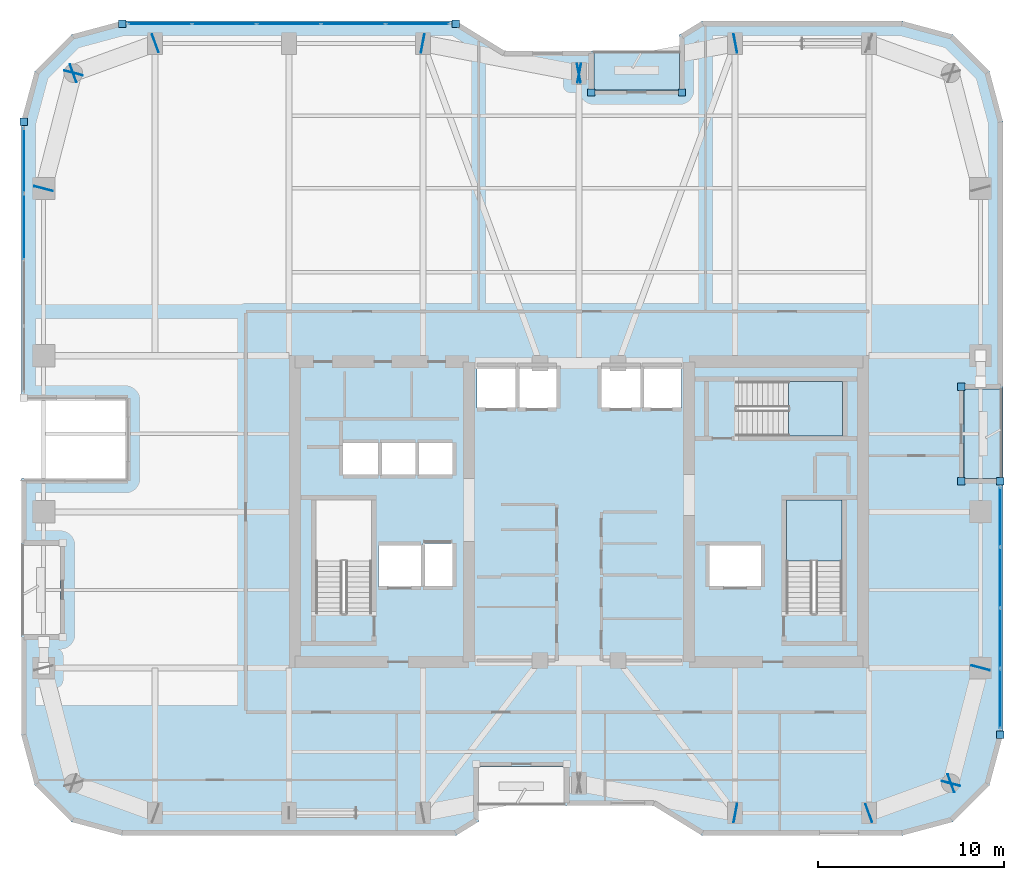
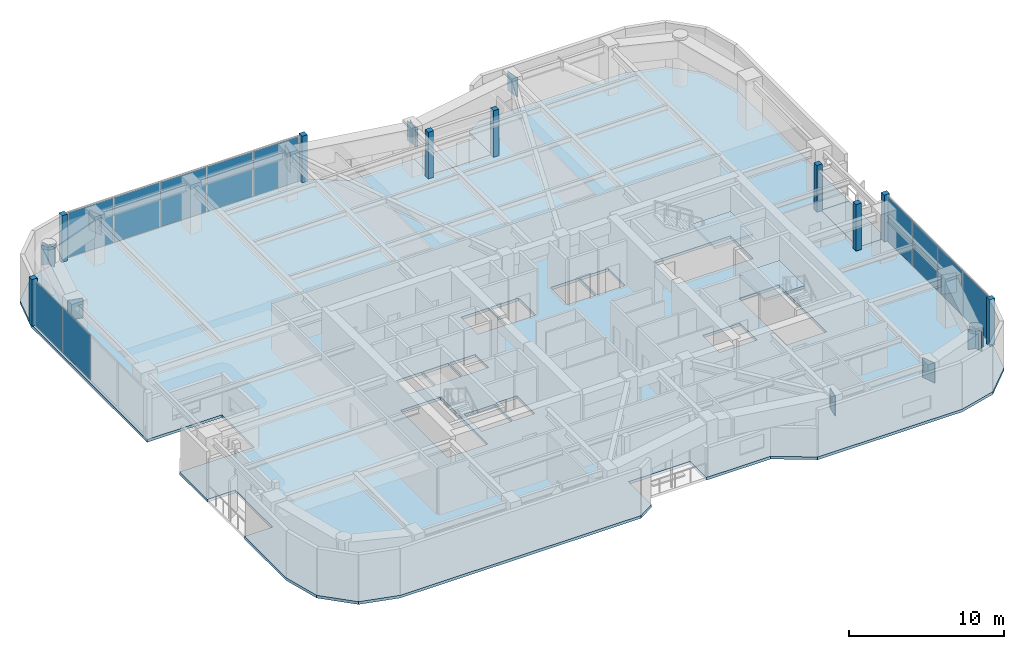
# One storey, part 18 of 26: 33 plates, 5 slabs, 5 elements without a shape of their own.
"""IFC4 building model written with IfcOpenShell, lengths in metres."""

from ifc_helpers import new_model, si_unit, direction, frame, origin, origin_2d, place, context, subcontext, project, spatial, polyline, rectangle, outline, extrude, material, layer, layer_set, type_object, element, aggregate, save


model = new_model("IFC4")

# Units and contexts
model_context = context("Model", 3, precision=1e-05, world=origin(), true_north=direction((0.0, 1.0)))
body_context = subcontext(model_context, "Body", "Model", "MODEL_VIEW")
ifc_project = project(units=[si_unit("LENGTHUNIT", "METRE"), si_unit("AREAUNIT", "SQUARE_METRE"), si_unit("VOLUMEUNIT", "CUBIC_METRE"), si_unit("PLANEANGLEUNIT", "RADIAN"), si_unit("MASSUNIT", "GRAM", prefix="KILO")], contexts=[model_context])

# Site, building, storey
site_placement = place(None, origin())
site = spatial("IfcSite", under=ifc_project, at=site_placement, CompositionType="ELEMENT")
building_placement = place(site_placement, origin())
building = spatial("IfcBuilding", under=site, at=building_placement, Name="Kiyonajd Concourse Tower", CompositionType="ELEMENT")
storey_placement = place(building_placement, frame((0.0, 0.0, 186.300048828125)))
storey = spatial("IfcBuildingStorey", under=building, at=storey_placement, Name="L47", CompositionType="ELEMENT", Elevation=186.300048828125)

# Plates
ifc_material_1 = material(Name="Steel ASTM A572 Grade 50", Category="steel")
ifc_layer_1 = layer(ifc_material_1, 0.031982421875)
ifc_layer_set_1 = layer_set([ifc_layer_1], Name="Steel ASTM A572 Grade 50")
plate_type_1 = type_object("IfcPlateType", Name="PL-CAP-540", PredefinedType="USERDEFINED", material=ifc_layer_set_1)
for number, where, z_axis, x_axis, name in (
    (1, (56.410888671875, 19.7978515625, 2.2099609375), (0.0, 0.0, 1.0), (0.982352599301, -0.187038420242, 0.0), "L47 Welded Box Girder End Cap"),
    (2, (63.589599609375, 19.796142578125, 2.2099609375), (0.0, 0.0, 1.0), (-0.939811951086, -0.341692107891, 0.0), "L47 Welded Box Girder End Cap"),
    (3, (68.01025390625, 21.40380859375, 2.2099609375), (0.0, 0.0, 1.0), (0.939811951086, 0.341692107891, 0.0), "L47 Welded Box Girder End Cap"),
    (4, (67.997314453125, 21.389404296875, 2.2099609375), (0.0, 0.0, 1.0), (-0.249873048837, -0.968278606324, 0.0), "L47 Welded Box Girder End Cap"),
    (5, (69.602783203125, 27.610595703125, 2.2099609375), (0.0, 0.0, 1.0), (0.249873048837, 0.968278606324, 0.0), "L47 Welded Box Girder End Cap"),
    (6, (56.410888671875, 61.2021484375, 2.2099609375), (0.0, 0.0, 1.0), (0.982352599301, 0.187038420242, 0.0), "L47 Welded Box Girder End Cap"),
    (7, (47.9892578125, 59.597900390625, 2.2099609375), (0.0, 0.0, 1.0), (-0.982352599301, -0.187038420242, 0.0), "L47 Welded Box Girder End Cap"),
    (8, (48.0107421875, 59.597900390625, 2.2099609375), (0.0, 0.0, 1.0), (0.982352599301, -0.187038420242, 0.0), "L47 Welded Box Girder End Cap"),
    (9, (39.589111328125, 61.2021484375, 2.2099609375), (0.0, 0.0, 1.0), (-0.982352599301, 0.187038420242, 0.0), "L47 Welded Box Girder End Cap"),
    (10, (25.210205078125, 61.203857421875, 2.2099609375), (0.0, 0.0, 1.0), (0.939811951086, 0.341692107891, 0.0), "L47 Welded Box Girder End Cap"),
    (11, (20.789794921875, 59.59619140625, 2.2099609375), (0.0, 0.0, 1.0), (-0.939811951086, -0.341692107891, 0.0), "L47 Welded Box Girder End Cap"),
    (12, (20.802734375, 59.610595703125, 2.2099609375), (0.0, 0.0, 1.0), (0.249873048837, 0.968278606324, 0.0), "L47 Welded Box Girder End Cap"),
    (13, (19.197265625, 53.389404296875, 2.2099609375), (0.0, 0.0, 1.0), (-0.249873048837, -0.968278606324, 0.0), "L47 Welded Box Girder End Cap"),
):
    element("IfcPlate", number, at=place(storey_placement, frame(where, z_axis=z_axis, x_axis=x_axis)), inside=storey, type_object=plate_type_1, Name=name, ObjectType="CAP PLATE", PredefinedType="USERDEFINED", context=body_context, shape_type="SweptSolid", body=[
        extrude(rectangle(XDim=0.035888671875, YDim=1.02001953125, at=origin_2d()), origin(), (0.0, 0.0, 1.0), 1.5400390625),
    ])

# Curtain wall, plates
ifc_material_2 = material(Name="Thermally Broken Anodised Aluminium", Category="aluminium")
ifc_layer_2 = layer(ifc_material_2, 0.179931640625)
ifc_layer_set_2 = layer_set([ifc_layer_2], Name="Thermally Broken Anodised Aluminium")
curtain_wall_type = type_object("IfcCurtainWallType", Name="CW-SYS-03", PredefinedType="NOTDEFINED", material=ifc_layer_set_2)
curtain_wall_1_placement = place(storey_placement, origin())
curtain_wall_1 = element("IfcCurtainWall", 14, at=curtain_wall_1_placement, inside=storey, type_object=curtain_wall_type, Name="L47 Unitised Curtain Wall CW3", PredefinedType="NOTDEFINED")
ifc_material_3 = material(Name="Double Low-E Insulated Glass", Category="glass")
ifc_layer_3 = layer(ifc_material_3, 0.033935546875)
ifc_layer_set_3 = layer_set([ifc_layer_3], Name="Double Low-E Insulated Glass")
plate_type_2 = type_object("IfcPlateType", Name="PL-CW-VIS34", PredefinedType="CURTAIN_PANEL", material=ifc_layer_set_3)
plate_1_placement = place(storey_placement, frame((18.139892578125, 51.343505859375, 0.06494140625), z_axis=(0.0, 0.0, 1.0), x_axis=(0.0, 1.0, 0.0)))
plate_1 = element("IfcPlate", 15, at=plate_1_placement, type_object=plate_type_2, Name="CW3 panel 3.1", PredefinedType="CURTAIN_PANEL", context=body_context, shape_type="SweptSolid", body=[
    extrude(rectangle(XDim=3.50048828125, YDim=0.033935546875, at=origin_2d()), origin(), (0.0, 0.0, 1.0), 3.550048828125),
])
plate_2_placement = place(storey_placement, frame((18.139892578125, 54.892578125, 0.06494140625), z_axis=(0.0, 0.0, 1.0), x_axis=(0.0, 1.0, 0.0)))
plate_2 = element("IfcPlate", 16, at=plate_2_placement, type_object=plate_type_2, Name="CW3 panel 4.1", PredefinedType="CURTAIN_PANEL", context=body_context, shape_type="SweptSolid", body=[
    extrude(rectangle(XDim=3.468017578125, YDim=0.033935546875, at=origin_2d()), origin(), (0.0, 0.0, 1.0), 3.550048828125),
])
aggregate(curtain_wall_1, [plate_1, plate_2])

curtain_wall_2_placement = place(storey_placement, origin())
curtain_wall_2 = element("IfcCurtainWall", 17, at=curtain_wall_2_placement, inside=storey, type_object=curtain_wall_type, Name="L47 Unitised Curtain Wall CW3", PredefinedType="NOTDEFINED")
plate_3_placement = place(storey_placement, frame((25.4609375, 62.260009765625, 0.06494140625), z_axis=(0.0, 0.0, 1.0), x_axis=(1.0, 0.0, 0.0)))
plate_3 = element("IfcPlate", 18, at=plate_3_placement, type_object=plate_type_2, Name="CW3 panel 1.1", PredefinedType="CURTAIN_PANEL", context=body_context, shape_type="SweptSolid", body=[
    extrude(rectangle(XDim=3.375, YDim=0.033935546875, at=origin_2d()), origin(), (0.0, 0.0, 1.0), 3.550048828125),
])
plate_4_placement = place(storey_placement, frame((28.9169921875, 62.260009765625, 0.06494140625), z_axis=(0.0, 0.0, 1.0), x_axis=(1.0, 0.0, 0.0)))
plate_4 = element("IfcPlate", 19, at=plate_4_placement, type_object=plate_type_2, Name="CW3 panel 2.1", PredefinedType="CURTAIN_PANEL", context=body_context, shape_type="SweptSolid", body=[
    extrude(rectangle(XDim=3.407470703125, YDim=0.033935546875, at=origin_2d()), origin(), (0.0, 0.0, 1.0), 3.550048828125),
])
plate_5_placement = place(storey_placement, frame((32.389404296875, 62.260009765625, 0.06494140625), z_axis=(0.0, 0.0, 1.0), x_axis=(1.0, 0.0, 0.0)))
plate_5 = element("IfcPlate", 20, at=plate_5_placement, type_object=plate_type_2, Name="CW3 panel 3.1", PredefinedType="CURTAIN_PANEL", context=body_context, shape_type="SweptSolid", body=[
    extrude(rectangle(XDim=3.407470703125, YDim=0.033935546875, at=origin_2d()), origin(), (0.0, 0.0, 1.0), 3.550048828125),
])
plate_6_placement = place(storey_placement, frame((35.86181640625, 62.260009765625, 0.06494140625), z_axis=(0.0, 0.0, 1.0), x_axis=(1.0, 0.0, 0.0)))
plate_6 = element("IfcPlate", 21, at=plate_6_placement, type_object=plate_type_2, Name="CW3 panel 4.1", PredefinedType="CURTAIN_PANEL", context=body_context, shape_type="SweptSolid", body=[
    extrude(rectangle(XDim=3.407470703125, YDim=0.033935546875, at=origin_2d()), origin(), (0.0, 0.0, 1.0), 3.550048828125),
])
plate_7_placement = place(storey_placement, frame((39.31787109375, 62.260009765625, 0.06494140625), z_axis=(0.0, 0.0, 1.0), x_axis=(1.0, 0.0, 0.0)))
plate_7 = element("IfcPlate", 22, at=plate_7_placement, type_object=plate_type_2, Name="CW3 panel 5.1", PredefinedType="CURTAIN_PANEL", context=body_context, shape_type="SweptSolid", body=[
    extrude(rectangle(XDim=3.375, YDim=0.033935546875, at=origin_2d()), origin(), (0.0, 0.0, 1.0), 3.550048828125),
])
aggregate(curtain_wall_2, [plate_3, plate_4, plate_5, plate_6, plate_7])

curtain_wall_3_placement = place(storey_placement, origin())
curtain_wall_3 = element("IfcCurtainWall", 23, at=curtain_wall_3_placement, inside=storey, type_object=curtain_wall_type, Name="L47 Unitised Curtain Wall CW3", PredefinedType="NOTDEFINED")
plate_8_placement = place(storey_placement, frame((70.659912109375, 35.720947265625, 0.06494140625), z_axis=(0.0, 0.0, 1.0), x_axis=(0.0, -1.0, 0.0)))
plate_8 = element("IfcPlate", 24, at=plate_8_placement, type_object=plate_type_2, Name="CW3 panel 1.1", PredefinedType="CURTAIN_PANEL", context=body_context, shape_type="SweptSolid", body=[
    extrude(rectangle(XDim=3.16796875, YDim=0.033935546875, at=origin_2d()), origin(), (0.0, 0.0, 1.0), 3.550048828125),
])
plate_9_placement = place(storey_placement, frame((70.659912109375, 32.471923828125, 0.06494140625), z_axis=(0.0, 0.0, 1.0), x_axis=(0.0, -1.0, 0.0)))
plate_9 = element("IfcPlate", 25, at=plate_9_placement, type_object=plate_type_2, Name="CW3 panel 2.1", PredefinedType="CURTAIN_PANEL", context=body_context, shape_type="SweptSolid", body=[
    extrude(rectangle(XDim=3.200439453125, YDim=0.033935546875, at=origin_2d()), origin(), (0.0, 0.0, 1.0), 3.550048828125),
])
plate_10_placement = place(storey_placement, frame((70.659912109375, 29.20654296875, 0.06494140625), z_axis=(0.0, 0.0, 1.0), x_axis=(0.0, -1.0, 0.0)))
plate_10 = element("IfcPlate", 26, at=plate_10_placement, type_object=plate_type_2, Name="CW3 panel 3.1", PredefinedType="CURTAIN_PANEL", context=body_context, shape_type="SweptSolid", body=[
    extrude(rectangle(XDim=3.200439453125, YDim=0.033935546875, at=origin_2d()), origin(), (0.0, 0.0, 1.0), 3.550048828125),
])
plate_11_placement = place(storey_placement, frame((70.659912109375, 25.957275390625, 0.06494140625), z_axis=(0.0, 0.0, 1.0), x_axis=(0.0, -1.0, 0.0)))
plate_11 = element("IfcPlate", 27, at=plate_11_placement, type_object=plate_type_2, Name="CW3 panel 4.1", PredefinedType="CURTAIN_PANEL", context=body_context, shape_type="SweptSolid", body=[
    extrude(rectangle(XDim=3.16796875, YDim=0.033935546875, at=origin_2d()), origin(), (0.0, 0.0, 1.0), 3.550048828125),
])
aggregate(curtain_wall_3, [plate_8, plate_9, plate_10, plate_11])

# Plates
ifc_layer_4 = layer(ifc_material_2, 0.39990234375)
ifc_layer_set_4 = layer_set([ifc_layer_4], Name="Thermally Broken Anodised Aluminium")
plate_type_3 = type_object("IfcPlateType", Name="PL-JMB-400", PredefinedType="USERDEFINED", material=ifc_layer_set_4)
for number, where, z_axis, x_axis, name in (
    (28, (18.139892578125, 56.981689453125, 0.0), (0.0, 0.0, 1.0), (1.0, 0.0, 0.0), "L47 Facade Jamb Closure Plate 04"),
    (29, (23.41845703125, 62.260009765625, 0.0), (0.0, 0.0, 1.0), (1.0, 0.0, 0.0), "L47 Facade Jamb Closure Plate 05"),
    (30, (41.3603515625, 62.260009765625, 0.0), (0.0, 0.0, 1.0), (1.0, 0.0, 0.0), "L47 Facade Jamb Closure Plate 06"),
    (31, (48.659912109375, 58.56005859375, 0.0), (0.0, 0.0, 1.0), (1.0, 0.0, 0.0), "L47 Facade Jamb Closure Plate 07"),
    (32, (53.5400390625, 58.56005859375, 0.0), (0.0, 0.0, 1.0), (1.0, 0.0, 0.0), "L47 Facade Jamb Closure Plate 08"),
    (33, (68.56005859375, 42.739990234375, 0.0), (0.0, 0.0, 1.0), (1.0, 0.0, 0.0), "L47 Facade Jamb Closure Plate 09"),
    (34, (68.56005859375, 37.659912109375, 0.0), (0.0, 0.0, 1.0), (1.0, 0.0, 0.0), "L47 Facade Jamb Closure Plate 10"),
    (35, (70.659912109375, 37.659912109375, 0.0), (0.0, 0.0, 1.0), (1.0, 0.0, 0.0), "L47 Facade Jamb Closure Plate 11"),
    (36, (70.659912109375, 24.018310546875, 0.0), (0.0, 0.0, 1.0), (1.0, 0.0, 0.0), "L47 Facade Jamb Closure Plate 12"),
):
    element("IfcPlate", number, at=place(storey_placement, frame(where, z_axis=z_axis, x_axis=x_axis)), inside=storey, type_object=plate_type_3, Name=name, ObjectType="JAMB PLATE", PredefinedType="USERDEFINED", context=body_context, shape_type="SweptSolid", body=[
        extrude(rectangle(XDim=0.39990234375, YDim=0.39990234375, at=origin_2d()), origin(), (0.0, 0.0, 1.0), 3.679931640625),
    ])

# Stair, slab
ifc_material_4 = material(Name="Concrete C40/50", Category="concrete")
stair_type = type_object("IfcStairType", Name="ST-DLG-22R", PredefinedType="HALF_TURN_STAIR", material=ifc_material_4)
stair_1_placement = place(storey_placement, origin())
stair_1 = element("IfcStair", 37, at=stair_1_placement, inside=storey, type_object=stair_type, Name="L47 Protected Exit Stair ST2", PredefinedType="HALF_TURN_STAIR")
ifc_layer_5 = layer(ifc_material_4, 0.199951171875)
ifc_layer_set_5 = layer_set([ifc_layer_5], Name="Concrete C40/50")
slab_type_1 = type_object("IfcSlabType", Name="SL-LND-200", PredefinedType="LANDING", material=ifc_layer_set_5)
slab_1_placement = place(storey_placement, frame((0.0, 0.0, 1.75)))
slab_1 = element("IfcSlab", 38, at=slab_1_placement, type_object=slab_type_1, Name="ST2 landing 1", PredefinedType="LANDING", context=body_context, shape_type="SweptSolid", body=[
    extrude(outline(polyline([(62.14990234375, 33.35009765625), (62.14990234375, 36.64990234375), (59.14990234375, 36.64990234375), (59.14990234375, 33.35009765625), (62.14990234375, 33.35009765625)])), origin(), (0.0, 0.0, 1.0), 0.199951171875),
])
aggregate(stair_1, [slab_1])

stair_2_placement = place(storey_placement, origin())
stair_2 = element("IfcStair", 39, at=stair_2_placement, inside=storey, type_object=stair_type, Name="L47 Protected Exit Stair ST3", PredefinedType="HALF_TURN_STAIR")
slab_2_placement = place(storey_placement, frame((0.0, 0.0, 1.75)))
slab_2 = element("IfcSlab", 40, at=slab_2_placement, type_object=slab_type_1, Name="ST3 landing 1", PredefinedType="LANDING", context=body_context, shape_type="SweptSolid", body=[
    extrude(outline(polyline([(59.280029296875, 40.080078125), (62.179931640625, 40.080078125), (62.179931640625, 43.02001953125), (59.280029296875, 43.02001953125), (59.280029296875, 40.080078125)])), origin(), (0.0, 0.0, 1.0), 0.199951171875),
])
aggregate(stair_2, [slab_2])

# Slabs
ifc_material_5 = material(Name="Precast concrete C50/60", Category="concrete")
ifc_layer_6 = layer(ifc_material_5, 0.199951171875)
ifc_layer_set_6 = layer_set([ifc_layer_6], Name="Precast concrete C50/60")
slab_type_2 = type_object("IfcSlabType", Name="SL-LOG-200", PredefinedType="FLOOR", material=ifc_layer_set_6)
slab_3_placement = place(storey_placement, frame((0.0, 0.0, -0.199951171875)))
element("IfcSlab", 41, at=slab_3_placement, inside=storey, type_object=slab_type_2, Name="L47 Recessed Engawa Loggia Terrace Slab LOG-N", PredefinedType="FLOOR", context=body_context, shape_type="SweptSolid", body=[
    extrude(outline(polyline([(48.800048828125, 58.699951171875), (53.39990234375, 58.699951171875), (53.39990234375, 60.800048828125), (48.800048828125, 60.800048828125), (48.800048828125, 58.699951171875)])), origin(), (0.0, 0.0, 1.0), 0.199951171875),
])
slab_4_placement = place(storey_placement, frame((0.0, 0.0, -0.199951171875)))
element("IfcSlab", 42, at=slab_4_placement, inside=storey, type_object=slab_type_2, Name="L47 Recessed Engawa Loggia Terrace Slab LOG-E", PredefinedType="FLOOR", context=body_context, shape_type="SweptSolid", body=[
    extrude(outline(polyline([(68.699951171875, 37.800048828125), (70.800048828125, 37.800048828125), (70.800048828125, 42.60009765625), (68.699951171875, 42.60009765625), (68.699951171875, 37.800048828125)])), origin(), (0.0, 0.0, 1.0), 0.199951171875),
])
ifc_layer_7 = layer(ifc_material_4, 0.219970703125)
ifc_layer_set_7 = layer_set([ifc_layer_7], Name="Concrete C40/50")
slab_type_3 = type_object("IfcSlabType", Name="SL-TWR-220", PredefinedType="FLOOR", material=ifc_layer_set_7)
slab_5_placement = place(storey_placement, frame((0.0, 0.0, -0.219970703125)))
element("IfcSlab", 43, at=slab_5_placement, inside=storey, type_object=slab_type_3, Name="L47 Tower Conditioned Floor Slab", PredefinedType="FLOOR", context=body_context, shape_type="SweptSolid", body=[
    extrude(outline(polyline([(18.0, 24.0), (18.0, 29.39990234375), (20.10009765625, 29.39990234375), (20.10009765625, 34.199951171875), (18.0, 34.199951171875), (18.0, 37.800048828125), (23.60009765625, 37.800048828125), (23.60009765625, 42.0), (18.0, 42.0), (18.0, 57.0), (18.722900390625, 59.699951171875), (20.699951171875, 61.677001953125), (23.39990234375, 62.39990234375), (41.39990234375, 62.39990234375), (44.0, 60.800048828125), (48.800048828125, 60.800048828125), (48.800048828125, 58.699951171875), (53.39990234375, 58.699951171875), (53.39990234375, 61.662109375), (54.60009765625, 62.39990234375), (65.39990234375, 62.39990234375), (68.10009765625, 61.677001953125), (70.076904296875, 59.699951171875), (70.800048828125, 57.0), (70.800048828125, 42.60009765625), (68.699951171875, 42.60009765625), (68.699951171875, 37.800048828125), (70.800048828125, 37.800048828125), (70.800048828125, 24.0), (70.076904296875, 21.300048828125), (68.10009765625, 19.322998046875), (65.39990234375, 18.60009765625), (54.60009765625, 18.60009765625), (52.0, 20.199951171875), (47.199951171875, 20.199951171875), (47.199951171875, 22.300048828125), (42.60009765625, 22.300048828125), (42.60009765625, 19.337890625), (41.39990234375, 18.60009765625), (23.39990234375, 18.60009765625), (20.699951171875, 19.322998046875), (18.722900390625, 21.300048828125), (18.0, 24.0)]), holes=[polyline([(39.5, 32.0), (37.199951171875, 32.0), (37.199951171875, 34.199951171875), (39.5, 34.199951171875), (39.5, 32.0)]), polyline([(39.60009765625, 32.0), (39.60009765625, 34.300048828125), (41.199951171875, 34.300048828125), (41.199951171875, 32.0), (39.60009765625, 32.0)]), polyline([(33.85009765625, 30.550048828125), (33.85009765625, 36.64990234375), (36.85009765625, 36.64990234375), (36.85009765625, 30.550048828125), (33.85009765625, 30.550048828125)]), polyline([(37.199951171875, 38.0), (35.300048828125, 38.0), (35.300048828125, 39.699951171875), (37.199951171875, 39.699951171875), (37.199951171875, 38.0)]), polyline([(37.300048828125, 38.0), (37.300048828125, 39.699951171875), (39.199951171875, 39.699951171875), (39.199951171875, 38.0), (37.300048828125, 38.0)]), polyline([(39.300048828125, 38.0), (39.300048828125, 39.699951171875), (41.199951171875, 39.699951171875), (41.199951171875, 38.0), (39.300048828125, 38.0)]), polyline([(44.60009765625, 41.60009765625), (42.5, 41.60009765625), (42.5, 43.800048828125), (44.60009765625, 43.800048828125), (44.60009765625, 41.60009765625)]), polyline([(55.0, 32.0), (55.0, 34.199951171875), (57.800048828125, 34.199951171875), (57.800048828125, 32.0), (55.0, 32.0)]), polyline([(59.14990234375, 30.550048828125), (59.14990234375, 36.64990234375), (62.14990234375, 36.64990234375), (62.14990234375, 30.550048828125), (59.14990234375, 30.550048828125)]), polyline([(56.47998046875, 43.02001953125), (62.179931640625, 43.02001953125), (62.179931640625, 40.080078125), (56.47998046875, 40.080078125), (56.47998046875, 43.02001953125)]), polyline([(44.699951171875, 41.60009765625), (44.699951171875, 43.800048828125), (46.800048828125, 43.800048828125), (46.800048828125, 41.60009765625), (44.699951171875, 41.60009765625)]), polyline([(49.199951171875, 41.60009765625), (49.199951171875, 43.800048828125), (51.300048828125, 43.800048828125), (51.300048828125, 41.60009765625), (49.199951171875, 41.60009765625)]), polyline([(51.39990234375, 41.60009765625), (51.39990234375, 43.800048828125), (53.5, 43.800048828125), (53.5, 41.60009765625), (51.39990234375, 41.60009765625)])]), origin(), (0.0, 0.0, 1.0), 0.219970703125),
])

save(model, "model.ifc")
